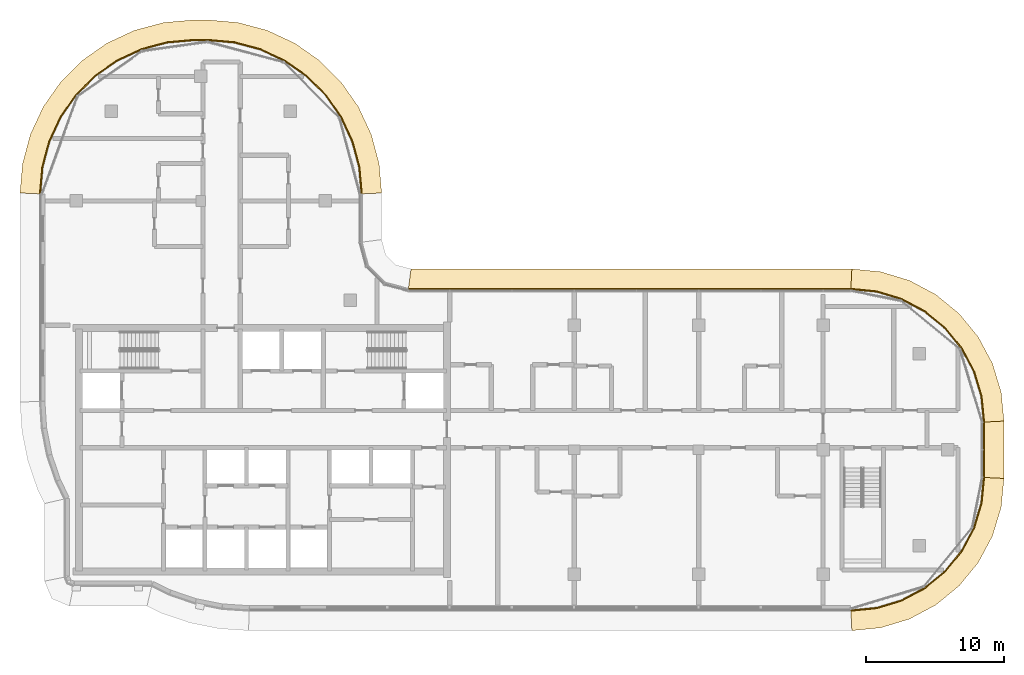
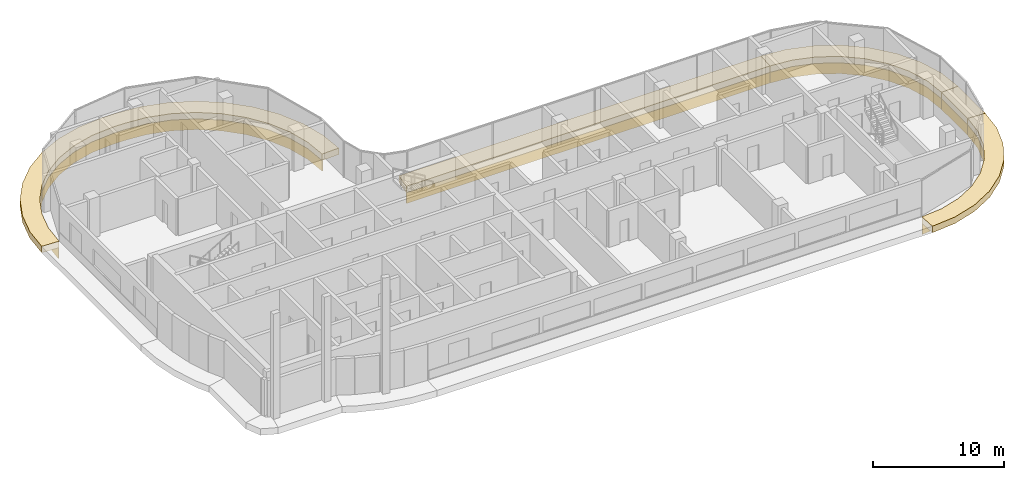
# One storey, part 20 of 20: 10 coverings.
"""IFC4 building model written with IfcOpenShell, lengths in metres."""

import ifcopenshell
import ifcopenshell.guid

model = None  # the IFC model being written
_history = None  # IfcOwnerHistory: only IFC2X3 demands one
_inside = {}  # id of a spatial element -> (the spatial element, [elements in it])
_under = {}  # id of a project, library or spatial element -> (it, [spatial elements below it])
_declared = {}  # id of a project -> (the project, [libraries it declares])
_typed = {}  # id of a type object -> (the type object, [elements of that type])
_made_of = {}  # id of a material, layer set ... -> (it, [elements and type objects made of it])


def new_model(schema):
    """Start an empty IFC model of exactly this schema.

    Asked for "IFC4X3", IfcOpenShell would pick the latest addendum, in which some entities
    have other attributes; the version numbers below select the first issue.
    IFC2X3 requires an IfcOwnerHistory on every rooted entity: one is made here for all.
    """
    global model, _history
    if schema == "IFC4X3":
        model = ifcopenshell.file(schema_version=(4, 3, 0, 0))
    else:
        model = ifcopenshell.file(schema=schema)
    _inside.clear()
    _under.clear()
    _declared.clear()
    _typed.clear()
    _made_of.clear()
    _history = None
    if model.schema == "IFC2X3":
        org = make("IfcOrganization", Name="unknown")
        user = make(
            "IfcPersonAndOrganization",
            ThePerson=make("IfcPerson", FamilyName="unknown"),
            TheOrganization=org,
        )
        app = make(
            "IfcApplication",
            ApplicationDeveloper=org,
            Version="unknown",
            ApplicationFullName="unknown",
            ApplicationIdentifier="unknown",
        )
        _history = make(
            "IfcOwnerHistory",
            OwningUser=user,
            OwningApplication=app,
            ChangeAction="ADDED",
            CreationDate=0,
        )
    return model


def make(cls, **values):
    """One entity of the class cls with the attributes given. An attribute that is None is left unset."""
    return model.create_entity(
        cls, **{name: value for name, value in values.items() if value is not None}
    )


def rooted(cls, **values):
    """An entity with a GlobalId (a new one), such as an element, a storey or a relation."""
    return make(cls, GlobalId=ifcopenshell.guid.new(), OwnerHistory=_history, **values)


def si_unit(unit_type, name, prefix=None):
    """IfcSIUnit, for example si_unit("LENGTHUNIT", "METRE", prefix="MILLI")."""
    return make("IfcSIUnit", UnitType=unit_type, Prefix=prefix, Name=name)


def assignment(units):
    """IfcUnitAssignment: the units of a project."""
    return None if units is None else make("IfcUnitAssignment", Units=units)


def point(xyz):
    """IfcCartesianPoint."""
    return None if xyz is None else make("IfcCartesianPoint", Coordinates=xyz)


def direction(xyz):
    """IfcDirection."""
    return None if xyz is None else make("IfcDirection", DirectionRatios=xyz)


def frame(location, z_axis=None, x_axis=None):
    """IfcAxis2Placement3D, a coordinate frame: its origin and axes. An axis left out is left unset."""
    return make(
        "IfcAxis2Placement3D",
        Location=point(location),
        Axis=direction(z_axis),
        RefDirection=direction(x_axis),
    )


def origin():
    """The frame at (0, 0, 0) with its axes left unset."""
    return frame((0.0, 0.0, 0.0))


def place(relative_to, where):
    """IfcLocalPlacement: puts the frame where relative to a parent placement (None: the world)."""
    return make(
        "IfcLocalPlacement", PlacementRelTo=relative_to, RelativePlacement=where
    )


def context(
    kind, dimensions, precision=None, world=None, true_north=None, identifier=None
):
    """IfcGeometricRepresentationContext, for example the 3D "Model" context."""
    return make(
        "IfcGeometricRepresentationContext",
        ContextIdentifier=identifier,
        ContextType=kind,
        CoordinateSpaceDimension=dimensions,
        Precision=precision,
        WorldCoordinateSystem=world,
        TrueNorth=true_north,
    )


def subcontext(parent, identifier, kind, view, scale=None):
    """IfcGeometricRepresentationSubContext, for example "Body" below "Model"."""
    return make(
        "IfcGeometricRepresentationSubContext",
        ContextIdentifier=identifier,
        ContextType=kind,
        ParentContext=parent,
        TargetScale=scale,
        TargetView=view,
    )


def project(units=None, contexts=None):
    """IfcProject with its units and contexts."""
    return rooted(
        "IfcProject",
        Name="project",
        RepresentationContexts=contexts,
        UnitsInContext=assignment(units),
    )


def spatial(cls, under=None, at=None, **own):
    """A site, building, storey or space (cls), placed at a placement, below another one or the project."""
    s = rooted(cls, ObjectPlacement=at, **own)
    if under is not None:
        _under.setdefault(under.id(), (under, []))[1].append(s)
    return s


def polyline(points):
    """IfcPolyline through the points."""
    return make("IfcPolyline", Points=[point(p) for p in points])


def outline(outer, holes=None, kind="AREA"):
    """IfcArbitraryClosedProfileDef: a profile drawn as a closed curve; with holes, ...WithVoids."""
    if holes is None:
        return make("IfcArbitraryClosedProfileDef", ProfileType=kind, OuterCurve=outer)
    return make(
        "IfcArbitraryProfileDefWithVoids",
        ProfileType=kind,
        OuterCurve=outer,
        InnerCurves=holes,
    )


def extrude(swept, where, along, depth):
    """IfcExtrudedAreaSolid: the profile swept, set in the frame where, extruded along a direction by depth."""
    return make(
        "IfcExtrudedAreaSolid",
        SweptArea=swept,
        Position=where,
        ExtrudedDirection=direction(along),
        Depth=depth,
    )


def shape(context_of_items, identifier, shape_type, items):
    """IfcShapeRepresentation: the items that make up one representation, for example the "Body"."""
    return make(
        "IfcShapeRepresentation",
        ContextOfItems=context_of_items,
        RepresentationIdentifier=identifier,
        RepresentationType=shape_type,
        Items=items,
    )


def material(Name=None, Category=None):
    """IfcMaterial."""
    return make("IfcMaterial", Name=Name, Category=Category)


def layer(
    of_material, thickness, ventilated=None, Name=None, Category=None, Priority=None
):
    """IfcMaterialLayer: one layer of a wall or slab, of a material (None: an air gap)."""
    return make(
        "IfcMaterialLayer",
        Material=of_material,
        LayerThickness=thickness,
        IsVentilated=ventilated,
        Name=Name,
        Category=Category,
        Priority=Priority,
    )


def layer_set(layers, Name=None):
    """IfcMaterialLayerSet."""
    return make("IfcMaterialLayerSet", MaterialLayers=layers, LayerSetName=Name)


def made_of(thing, what):
    """Note that an element or type object is made of a material, layer set ...; save() writes the relation."""
    if what is not None:
        _made_of.setdefault(what.id(), (what, []))[1].append(thing)
    return thing


def type_object(cls, material=None, **own):
    """A type object (cls), such as IfcWallType, which elements share."""
    return made_of(rooted(cls, **own), material)


def element(
    cls,
    number,
    at=None,
    inside=None,
    cuts=None,
    type_object=None,
    material=None,
    context=None,
    identifier="Body",
    shape_type=None,
    held_by="IfcProductDefinitionShape",
    body=None,
    shapes=None,
    **own,
):
    """One element of the class cls, such as IfcWall. Its Tag is "e" and its number.

    at: its placement. inside: the storey or other place that contains it. cuts: it is an
    opening in that element (IfcRelVoidsElement). A single representation is given by context,
    identifier, shape_type and body (its items); several are given by shapes. held_by: the class
    of the entity that holds the representations. save() writes the other relations.
    """
    e = rooted(cls, Tag="e%d" % number, ObjectPlacement=at, **own)
    if body is not None:
        shapes = [shape(context, identifier, shape_type, body)]
    if shapes is not None:
        e.Representation = make(held_by, Representations=shapes)
    if inside is not None:
        _inside.setdefault(inside.id(), (inside, []))[1].append(e)
    if cuts is not None:
        rooted(
            "IfcRelVoidsElement", RelatingBuildingElement=cuts, RelatedOpeningElement=e
        )
    if type_object is not None:
        _typed.setdefault(type_object.id(), (type_object, []))[1].append(e)
    return made_of(e, material)


def aggregate(whole, parts):
    """IfcRelAggregates: a whole, such as a stair, and the parts it consists of."""
    return rooted("IfcRelAggregates", RelatingObject=whole, RelatedObjects=parts)


def save(model, path):
    """Write the relations noted so far, then the file.

    IfcRelAggregates (storeys below a building ...), IfcRelContainedInSpatialStructure (elements
    in a storey), IfcRelDefinesByType, IfcRelAssociatesMaterial and IfcRelDeclares: one each for
    every whole, place, type object, material and project.
    """
    for whole, parts in _under.values():
        aggregate(whole, parts)
    for where, things in _inside.values():
        rooted(
            "IfcRelContainedInSpatialStructure",
            RelatedElements=things,
            RelatingStructure=where,
        )
    for kind, things in _typed.values():
        rooted("IfcRelDefinesByType", RelatedObjects=things, RelatingType=kind)
    for what, things in _made_of.values():
        rooted("IfcRelAssociatesMaterial", RelatedObjects=things, RelatingMaterial=what)
    for by, libraries in _declared.values():
        rooted("IfcRelDeclares", RelatingContext=by, RelatedDefinitions=libraries)
    model.write(path)


model = new_model("IFC4")

# Units and contexts
model_context = context("Model", 3, precision=1e-05, world=origin(), true_north=direction((0.0, 1.0)))
body_context = subcontext(model_context, "Body", "Model", "MODEL_VIEW")
ifc_project = project(units=[si_unit("LENGTHUNIT", "METRE"), si_unit("AREAUNIT", "SQUARE_METRE"), si_unit("VOLUMEUNIT", "CUBIC_METRE"), si_unit("PLANEANGLEUNIT", "RADIAN"), si_unit("MASSUNIT", "GRAM", prefix="KILO")], contexts=[model_context])

# Site, building, storey
site_placement = place(None, origin())
site = spatial("IfcSite", under=ifc_project, at=site_placement, CompositionType="ELEMENT")
building_placement = place(site_placement, origin())
building = spatial("IfcBuilding", under=site, at=building_placement, Name="Ogive Portal Towers", CompositionType="ELEMENT")
storey_placement = place(building_placement, frame((0.0, 0.0, 232.800048828125)))
storey = spatial("IfcBuildingStorey", under=building, at=storey_placement, Name="L58", CompositionType="ELEMENT", Elevation=232.800048828125)

# Coverings
ifc_material = material(Name="Limestone cladding on lightweight block wall", Category="masonry")
ifc_layer_1 = layer(ifc_material, 0.080078125)
ifc_layer_set_1 = layer_set([ifc_layer_1], Name="STONE SPANDREL 80")
covering_type_1 = type_object("IfcCoveringType", Name="STONE SPANDREL 80", PredefinedType="CLADDING", material=ifc_layer_set_1)
covering_1_placement = place(storey_placement, frame((0.0, 0.0, -1.60009765625)))
element("IfcCovering", 1, at=covering_1_placement, inside=storey, type_object=covering_type_1, Name="Stone spandrel A1-F06", PredefinedType="CLADDING", context=body_context, shape_type="SweptSolid", body=[
    extrude(outline(polyline([(87.5, 18.925048828125), (89.367919921875, 19.10888671875), (91.164306640625, 19.65380859375), (92.819580078125, 20.53857421875), (94.2705078125, 21.7294921875), (95.46142578125, 23.180419921875), (96.34619140625, 24.835693359375), (96.89111328125, 26.632080078125), (97.074951171875, 28.5), (97.155029296875, 28.49609375), (96.969970703125, 26.6162109375), (96.42041015625, 24.804931640625), (95.528076171875, 23.1357421875), (94.327392578125, 21.672607421875), (92.8642578125, 20.471923828125), (91.195068359375, 19.57958984375), (89.3837890625, 19.030029296875), (87.50390625, 18.844970703125), (87.5, 18.925048828125)])), origin(), (0.0, 0.0, 1.0), 1.0),
])
covering_2_placement = place(storey_placement, frame((0.0, 0.0, -1.60009765625)))
element("IfcCovering", 2, at=covering_2_placement, inside=storey, type_object=covering_type_1, Name="Stone spandrel A1-F07", PredefinedType="CLADDING", context=body_context, shape_type="SweptSolid", body=[
    extrude(outline(polyline([(97.074951171875, 28.5), (97.074951171875, 32.5), (97.155029296875, 32.50390625), (97.155029296875, 28.49609375), (97.074951171875, 28.5)])), origin(), (0.0, 0.0, 1.0), 1.0),
])
covering_3_placement = place(storey_placement, frame((0.0, 0.0, -1.60009765625)))
element("IfcCovering", 3, at=covering_3_placement, inside=storey, type_object=covering_type_1, Name="Stone spandrel A1-F08", PredefinedType="CLADDING", context=body_context, shape_type="SweptSolid", body=[
    extrude(outline(polyline([(97.074951171875, 32.5), (96.89111328125, 34.367919921875), (96.34619140625, 36.164306640625), (95.46142578125, 37.819580078125), (94.2705078125, 39.2705078125), (92.819580078125, 40.46142578125), (91.164306640625, 41.34619140625), (89.367919921875, 41.89111328125), (87.5, 42.074951171875), (87.50390625, 42.155029296875), (89.3837890625, 41.969970703125), (91.195068359375, 41.42041015625), (92.8642578125, 40.528076171875), (94.327392578125, 39.327392578125), (95.528076171875, 37.8642578125), (96.42041015625, 36.195068359375), (96.969970703125, 34.3837890625), (97.155029296875, 32.50390625), (97.074951171875, 32.5)])), origin(), (0.0, 0.0, 1.0), 1.0),
])
covering_4_placement = place(storey_placement, frame((0.0, 0.0, -1.60009765625)))
element("IfcCovering", 4, at=covering_4_placement, inside=storey, type_object=covering_type_1, Name="Stone spandrel A1-F09", PredefinedType="CLADDING", context=body_context, shape_type="SweptSolid", body=[
    extrude(outline(polyline([(87.5, 42.074951171875), (55.5, 42.074951171875), (55.510498046875, 42.155029296875), (87.50390625, 42.155029296875), (87.5, 42.074951171875)])), origin(), (0.0, 0.0, 1.0), 1.0),
])
covering_5_placement = place(storey_placement, frame((0.0, 0.0, -1.60009765625)))
element("IfcCovering", 5, at=covering_5_placement, inside=storey, type_object=covering_type_1, Name="Stone spandrel A1-F12", PredefinedType="CLADDING", context=body_context, shape_type="SweptSolid", body=[
    extrude(outline(polyline([(52.074951171875, 49.0), (51.90673828125, 50.923095703125), (51.406982421875, 52.787841796875), (50.59130859375, 54.53759765625), (49.48388671875, 56.118896484375), (48.118896484375, 57.48388671875), (46.53759765625, 58.59130859375), (44.787841796875, 59.406982421875), (42.923095703125, 59.90673828125), (41.0, 60.074951171875), (40.0, 60.074951171875), (38.076904296875, 59.90673828125), (36.212158203125, 59.406982421875), (34.46240234375, 58.59130859375), (32.881103515625, 57.48388671875), (31.51611328125, 56.118896484375), (30.40869140625, 54.53759765625), (29.593017578125, 52.787841796875), (29.09326171875, 50.923095703125), (28.925048828125, 49.0), (28.844970703125, 49.00341796875), (29.01416015625, 50.93701171875), (29.517333984375, 52.8154296875), (30.339111328125, 54.57763671875), (31.45458984375, 56.17041015625), (32.82958984375, 57.54541015625), (34.42236328125, 58.660888671875), (36.1845703125, 59.482666015625), (38.06298828125, 59.98583984375), (39.99658203125, 60.155029296875), (41.00341796875, 60.155029296875), (42.93701171875, 59.98583984375), (44.8154296875, 59.482666015625), (46.57763671875, 58.660888671875), (48.17041015625, 57.54541015625), (49.54541015625, 56.17041015625), (50.660888671875, 54.57763671875), (51.482666015625, 52.8154296875), (51.98583984375, 50.93701171875), (52.155029296875, 49.00341796875), (52.074951171875, 49.0)])), origin(), (0.0, 0.0, 1.0), 1.0),
])
ifc_layer_2 = layer(ifc_material, 0.60009765625)
ifc_layer_set_2 = layer_set([ifc_layer_2], Name="SUNSHADE LIP 600")
covering_type_2 = type_object("IfcCoveringType", Name="SUNSHADE LIP 600", PredefinedType="CLADDING", material=ifc_layer_set_2)
covering_6_placement = place(storey_placement, frame((0.0, 0.0, -0.60009765625)))
element("IfcCovering", 6, at=covering_6_placement, inside=storey, type_object=covering_type_2, Name="Sunshade lip A1-F06", PredefinedType="CLADDING", context=body_context, shape_type="SweptSolid", body=[
    extrude(outline(polyline([(87.5, 18.925048828125), (89.367919921875, 19.10888671875), (91.164306640625, 19.65380859375), (92.819580078125, 20.53857421875), (94.2705078125, 21.7294921875), (95.46142578125, 23.180419921875), (96.34619140625, 24.835693359375), (96.89111328125, 26.632080078125), (97.074951171875, 28.5), (98.574951171875, 28.42626953125), (98.369384765625, 26.337890625), (97.73876953125, 24.259033203125), (96.714599609375, 22.343017578125), (95.33642578125, 20.66357421875), (93.656982421875, 19.285400390625), (91.740966796875, 18.26123046875), (89.662109375, 17.630615234375), (87.57373046875, 17.425048828125), (87.5, 18.925048828125)])), origin(), (0.0, 0.0, 1.0), 0.60009765625),
])
covering_7_placement = place(storey_placement, frame((0.0, 0.0, -0.60009765625)))
element("IfcCovering", 7, at=covering_7_placement, inside=storey, type_object=covering_type_2, Name="Sunshade lip A1-F07", PredefinedType="CLADDING", context=body_context, shape_type="SweptSolid", body=[
    extrude(outline(polyline([(97.074951171875, 28.5), (97.074951171875, 32.5), (98.574951171875, 32.57373046875), (98.574951171875, 28.42626953125), (97.074951171875, 28.5)])), origin(), (0.0, 0.0, 1.0), 0.60009765625),
])
covering_8_placement = place(storey_placement, frame((0.0, 0.0, -0.60009765625)))
element("IfcCovering", 8, at=covering_8_placement, inside=storey, type_object=covering_type_2, Name="Sunshade lip A1-F08", PredefinedType="CLADDING", context=body_context, shape_type="SweptSolid", body=[
    extrude(outline(polyline([(97.074951171875, 32.5), (96.89111328125, 34.367919921875), (96.34619140625, 36.164306640625), (95.46142578125, 37.819580078125), (94.2705078125, 39.2705078125), (92.819580078125, 40.46142578125), (91.164306640625, 41.34619140625), (89.367919921875, 41.89111328125), (87.5, 42.074951171875), (87.57373046875, 43.574951171875), (89.662109375, 43.369384765625), (91.740966796875, 42.73876953125), (93.656982421875, 41.714599609375), (95.33642578125, 40.33642578125), (96.714599609375, 38.656982421875), (97.73876953125, 36.740966796875), (98.369384765625, 34.662109375), (98.574951171875, 32.57373046875), (97.074951171875, 32.5)])), origin(), (0.0, 0.0, 1.0), 0.60009765625),
])
covering_9_placement = place(storey_placement, frame((0.0, 0.0, -0.60009765625)))
element("IfcCovering", 9, at=covering_9_placement, inside=storey, type_object=covering_type_2, Name="Sunshade lip A1-F09", PredefinedType="CLADDING", context=body_context, shape_type="SweptSolid", body=[
    extrude(outline(polyline([(87.5, 42.074951171875), (55.5, 42.074951171875), (55.697509765625, 43.574951171875), (87.57373046875, 43.574951171875), (87.5, 42.074951171875)])), origin(), (0.0, 0.0, 1.0), 0.60009765625),
])
covering_10_placement = place(storey_placement, frame((0.0, 0.0, -0.60009765625)))
element("IfcCovering", 10, at=covering_10_placement, inside=storey, type_object=covering_type_2, Name="Sunshade lip A1-F12", PredefinedType="CLADDING", context=body_context, shape_type="SweptSolid", body=[
    extrude(outline(polyline([(52.074951171875, 49.0), (51.90673828125, 50.923095703125), (51.406982421875, 52.787841796875), (50.59130859375, 54.53759765625), (49.48388671875, 56.118896484375), (48.118896484375, 57.48388671875), (46.53759765625, 58.59130859375), (44.787841796875, 59.406982421875), (42.923095703125, 59.90673828125), (41.0, 60.074951171875), (40.0, 60.074951171875), (38.076904296875, 59.90673828125), (36.212158203125, 59.406982421875), (34.46240234375, 58.59130859375), (32.881103515625, 57.48388671875), (31.51611328125, 56.118896484375), (30.40869140625, 54.53759765625), (29.593017578125, 52.787841796875), (29.09326171875, 50.923095703125), (28.925048828125, 49.0), (27.425048828125, 49.0654296875), (27.6103515625, 51.1845703125), (28.177978515625, 53.302978515625), (29.104736328125, 55.290283203125), (30.362548828125, 57.086669921875), (31.913330078125, 58.637451171875), (33.709716796875, 59.895263671875), (35.697021484375, 60.822021484375), (37.8154296875, 61.3896484375), (39.9345703125, 61.574951171875), (41.0654296875, 61.574951171875), (43.1845703125, 61.3896484375), (45.302978515625, 60.822021484375), (47.290283203125, 59.895263671875), (49.086669921875, 58.637451171875), (50.637451171875, 57.086669921875), (51.895263671875, 55.290283203125), (52.822021484375, 53.302978515625), (53.3896484375, 51.1845703125), (53.574951171875, 49.0654296875), (52.074951171875, 49.0)])), origin(), (0.0, 0.0, 1.0), 0.60009765625),
])

save(model, "model.ifc")
